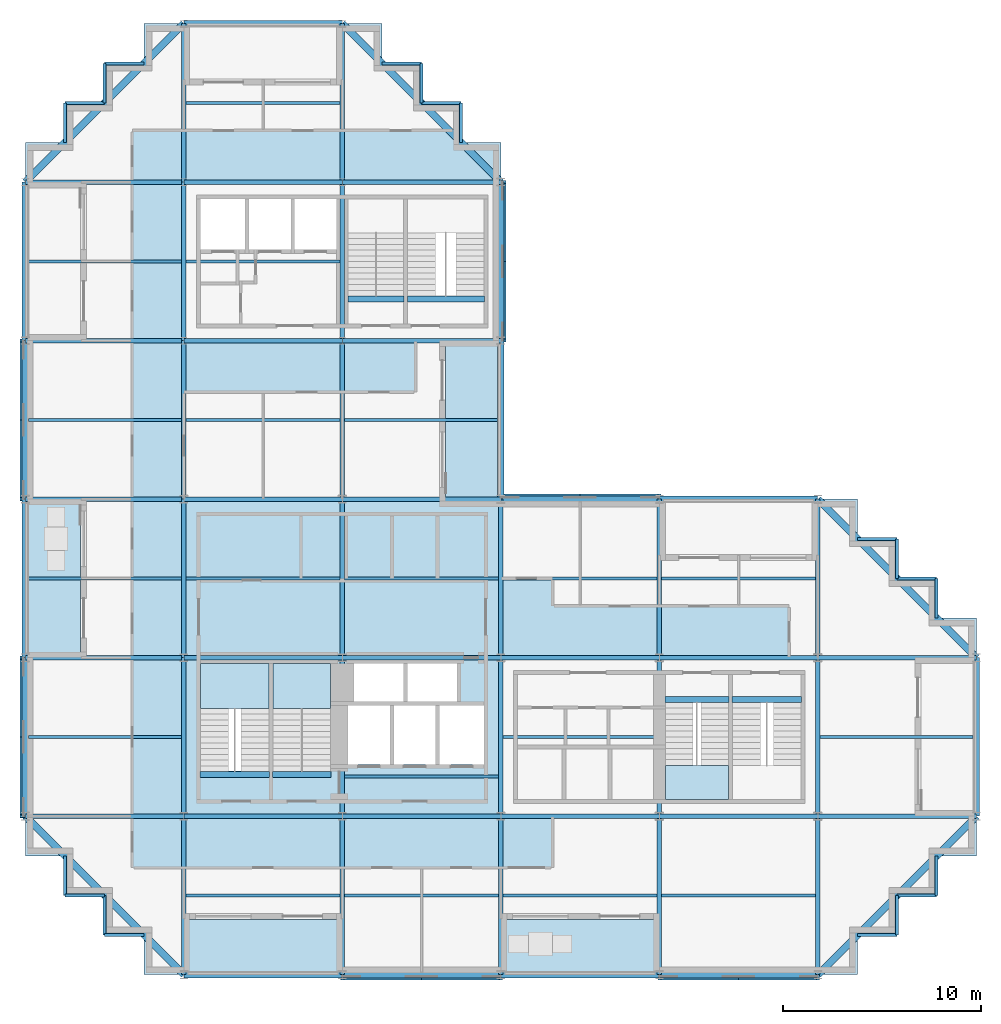
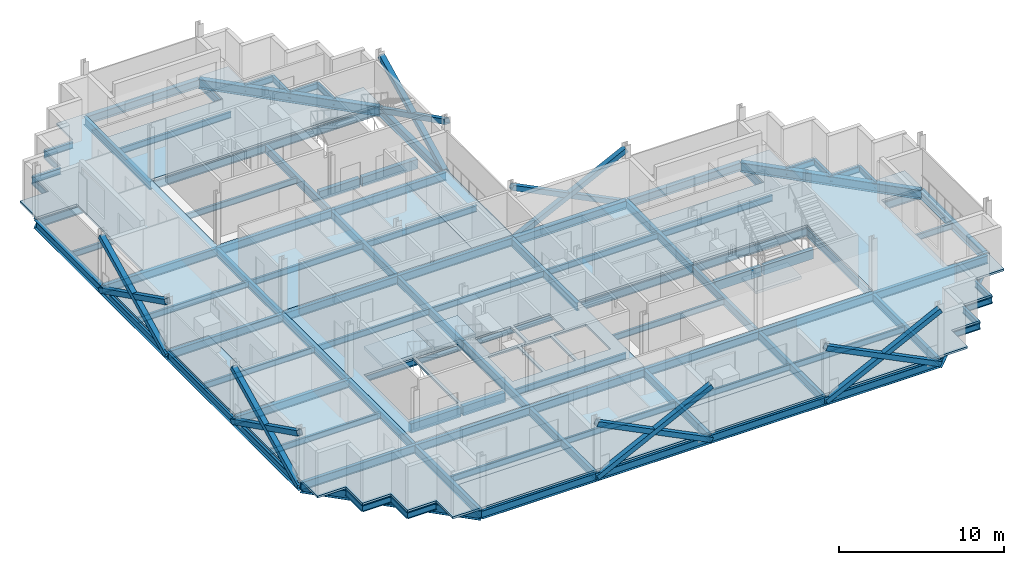
# One storey, part 3 of 12: 106 beams, 12 members, 9 slabs, 3 elements without a shape of their own.
"""IFC4 building model written with IfcOpenShell, lengths in metres."""

from ifc_helpers import new_model, si_unit, direction, frame, origin, origin_2d, place, context, subcontext, project, spatial, polyline, rectangle, hollow_rectangle, i_section, outline, extrude, material, layer, layer_set, material_profile, profile_set, type_object, element, aggregate, save


model = new_model("IFC4")

# Units and contexts
model_context = context("Model", 3, precision=1e-05, world=origin(), true_north=direction((0.0, 1.0)))
body_context = subcontext(model_context, "Body", "Model", "MODEL_VIEW")
ifc_project = project(units=[si_unit("LENGTHUNIT", "METRE"), si_unit("AREAUNIT", "SQUARE_METRE"), si_unit("VOLUMEUNIT", "CUBIC_METRE"), si_unit("PLANEANGLEUNIT", "RADIAN"), si_unit("MASSUNIT", "GRAM", prefix="KILO")], contexts=[model_context])

# Site, building, storey
site_placement = place(None, origin())
site = spatial("IfcSite", under=ifc_project, at=site_placement, CompositionType="ELEMENT")
building_placement = place(site_placement, origin())
building = spatial("IfcBuilding", under=site, at=building_placement, Name="Immortelle Media Tower", CompositionType="ELEMENT")
storey_placement = place(building_placement, frame((0.0, 0.0, 178.800048828125)))
storey = spatial("IfcBuildingStorey", under=building, at=storey_placement, Name="L37", CompositionType="ELEMENT", Elevation=178.800048828125)

# Members
ifc_material_1 = material(Name="Steel ASTM A500 Gr C", Category="steel")
ifc_material_profile_1 = material_profile(ifc_material_1, hollow_rectangle(XDim=0.35595703125, YDim=0.35595703125, WallThickness=0.011962890625, at=origin_2d()), Name="HSS14x14x1/2 brace")
ifc_profile_set_1 = profile_set([ifc_material_profile_1], Name="Steel ASTM A500 Gr C")
member_type = type_object("IfcMemberType", Name="HSS14x14x1/2 brace", PredefinedType="BRACE", material=ifc_profile_set_1)
for number, where, z_axis, x_axis, name in (
    (1, (16.0, -0.087890625, -0.4560546875), (0.89547411235, 0.0, 0.445113596861), (0.0, 1.0, 0.0), "Brace A/3-4 A"),
    (2, (16.0, -0.087890625, 3.5205078125), (0.89547411235, 0.0, -0.445113596861), (0.0, 1.0, 0.0), "Brace A/3-4 B"),
    (3, (32.0, -0.087890625, -0.4560546875), (0.89547411235, 0.0, 0.445113596861), (0.0, 1.0, 0.0), "Brace A/5-6 A"),
    (4, (32.0, -0.087890625, 3.5205078125), (0.89547411235, 0.0, -0.445113596861), (0.0, 1.0, 0.0), "Brace A/5-6 B"),
    (5, (32.0, 24.087890625, -0.4560546875), (-0.89547411235, 0.0, 0.445113596861), (0.0, -1.0, 0.0), "Brace D/4-5 A"),
    (6, (32.0, 24.087890625, 3.5205078125), (-0.89547411235, 0.0, -0.445113596861), (0.0, -1.0, 0.0), "Brace D/4-5 B"),
    (7, (24.087890625, 32.0, -0.4560546875), (0.0, 0.89547411235, 0.445113596861), (-1.0, 0.0, 0.0), "Brace 4/E-F A"),
    (8, (24.087890625, 32.0, 3.5205078125), (0.0, 0.89547411235, -0.445113596861), (-1.0, 0.0, 0.0), "Brace 4/E-F B"),
    (9, (-0.087890625, 32.0, -0.4560546875), (0.0, -0.89547411235, 0.445113596861), (1.0, 0.0, 0.0), "Brace 1/D-E A"),
    (10, (-0.087890625, 32.0, 3.5205078125), (0.0, -0.89547411235, -0.445113596861), (1.0, 0.0, 0.0), "Brace 1/D-E B"),
    (11, (-0.087890625, 16.0, -0.4560546875), (0.0, -0.89547411235, 0.445113596861), (1.0, 0.0, 0.0), "Brace 1/B-C A"),
    (12, (-0.087890625, 16.0, 3.5205078125), (0.0, -0.89547411235, -0.445113596861), (1.0, 0.0, 0.0), "Brace 1/B-C B"),
):
    element("IfcMember", number, at=place(storey_placement, frame(where, z_axis=z_axis, x_axis=x_axis)), inside=storey, type_object=member_type, Name=name, PredefinedType="BRACE", context=body_context, shape_type="SweptSolid", body=[
        extrude(hollow_rectangle(XDim=0.35595703125, YDim=0.35595703125, WallThickness=0.011962890625, at=origin_2d()), origin(), (0.0, 0.0, 1.0), 8.933837890625),
    ])

# Beams
ifc_material_2 = material(Name="Concrete C50/60", Category="concrete")
ifc_material_profile_2 = material_profile(ifc_material_2, rectangle(XDim=0.300048828125, YDim=0.699951171875, at=origin_2d()), Name="RC 300x700")
ifc_profile_set_2 = profile_set([ifc_material_profile_2], Name="Concrete C50/60")
beam_type_1 = type_object("IfcBeamType", Name="Stair trimmer beam 300 x 700", PredefinedType="BEAM", material=ifc_profile_set_2)
beam_1_placement = place(storey_placement, frame((8.830078125, 10.10498046875, -0.5), z_axis=(1.0, 0.0, 0.0), x_axis=(0.0, 1.0, 0.0)))
element("IfcBeam", 13, at=beam_1_placement, inside=storey, type_object=beam_type_1, Name="Stair trimmer beam SW1", PredefinedType="BEAM", context=body_context, shape_type="SweptSolid", body=[
    extrude(rectangle(XDim=0.300048828125, YDim=0.699951171875, at=origin_2d()), origin(), (0.0, 0.0, 1.0), 3.489990234375),
])
beam_2_placement = place(storey_placement, frame((12.47998046875, 10.10498046875, -0.5), z_axis=(1.0, 0.0, 0.0), x_axis=(0.0, 1.0, 0.0)))
element("IfcBeam", 14, at=beam_2_placement, inside=storey, type_object=beam_type_1, Name="Stair trimmer beam SW2", PredefinedType="BEAM", context=body_context, shape_type="SweptSolid", body=[
    extrude(rectangle(XDim=0.300048828125, YDim=0.699951171875, at=origin_2d()), origin(), (0.0, 0.0, 1.0), 2.93994140625),
])
beam_3_placement = place(storey_placement, frame((32.280029296875, 13.89501953125, -0.5), z_axis=(1.0, 0.0, 0.0), x_axis=(0.0, 1.0, 0.0)))
element("IfcBeam", 15, at=beam_3_placement, inside=storey, type_object=beam_type_1, Name="Stair trimmer beam SE1", PredefinedType="BEAM", context=body_context, shape_type="SweptSolid", body=[
    extrude(rectangle(XDim=0.300048828125, YDim=0.699951171875, at=origin_2d()), origin(), (0.0, 0.0, 1.0), 3.239990234375),
])
beam_4_placement = place(storey_placement, frame((35.679931640625, 13.89501953125, -0.5), z_axis=(1.0, 0.0, 0.0), x_axis=(0.0, 1.0, 0.0)))
element("IfcBeam", 16, at=beam_4_placement, inside=storey, type_object=beam_type_1, Name="Stair trimmer beam SE2", PredefinedType="BEAM", context=body_context, shape_type="SweptSolid", body=[
    extrude(rectangle(XDim=0.300048828125, YDim=0.699951171875, at=origin_2d()), origin(), (0.0, 0.0, 1.0), 3.489990234375),
])
beam_5_placement = place(storey_placement, frame((16.280029296875, 34.10498046875, -0.5), z_axis=(1.0, 0.0, 0.0), x_axis=(0.0, 1.0, 0.0)))
element("IfcBeam", 17, at=beam_5_placement, inside=storey, type_object=beam_type_1, Name="Stair trimmer beam NW1", PredefinedType="BEAM", context=body_context, shape_type="SweptSolid", body=[
    extrude(rectangle(XDim=0.300048828125, YDim=0.699951171875, at=origin_2d()), origin(), (0.0, 0.0, 1.0), 2.840087890625),
])
beam_6_placement = place(storey_placement, frame((19.280029296875, 34.10498046875, -0.5), z_axis=(1.0, 0.0, 0.0), x_axis=(0.0, 1.0, 0.0)))
element("IfcBeam", 18, at=beam_6_placement, inside=storey, type_object=beam_type_1, Name="Stair trimmer beam NW2", PredefinedType="BEAM", context=body_context, shape_type="SweptSolid", body=[
    extrude(rectangle(XDim=0.300048828125, YDim=0.699951171875, at=origin_2d()), origin(), (0.0, 0.0, 1.0), 3.889892578125),
])
ifc_material_3 = material(Name="Steel ASTM A992 Gr 50", Category="steel")
ifc_material_profile_3 = material_profile(ifc_material_3, i_section(OverallWidth=0.153076171875, OverallDepth=0.455078125, WebThickness=0.008056640625, FlangeThickness=0.012939453125, at=origin_2d()), Name="W18x40")
ifc_profile_set_3 = profile_set([ifc_material_profile_3], Name="Steel ASTM A992 Gr 50")
beam_type_2 = type_object("IfcBeamType", Name="W18x40 secondary beam", PredefinedType="JOIST", material=ifc_profile_set_3)
for number, where, z_axis, x_axis, name in (
    (19, (8.114013671875, 4.0, -0.37744140625), (1.0, 0.0, 0.0), (0.0, 1.0, 0.0), "Beam A-B/2-3"),
    (20, (16.114013671875, 4.0, -0.37744140625), (1.0, 0.0, 0.0), (0.0, 1.0, 0.0), "Beam A-B/3-4"),
    (21, (24.114013671875, 4.0, -0.37744140625), (1.0, 0.0, 0.0), (0.0, 1.0, 0.0), "Beam A-B/4-5"),
    (22, (32.114013671875, 4.0, -0.37744140625), (1.0, 0.0, 0.0), (0.0, 1.0, 0.0), "Beam A-B/5-6"),
):
    element("IfcBeam", number, at=place(storey_placement, frame(where, z_axis=z_axis, x_axis=x_axis)), inside=storey, type_object=beam_type_2, Name=name, PredefinedType="JOIST", context=body_context, shape_type="SweptSolid", body=[
        extrude(i_section(OverallWidth=0.153076171875, OverallDepth=0.455078125, WebThickness=0.008056640625, FlangeThickness=0.012939453125, at=origin_2d()), origin(), (0.0, 0.0, 1.0), 7.77197265625),
    ])
beam_7_placement = place(storey_placement, frame((0.162109375, 12.0, -0.37744140625), z_axis=(1.0, 0.0, 0.0), x_axis=(0.0, 1.0, 0.0)))
element("IfcBeam", 23, at=beam_7_placement, inside=storey, type_object=beam_type_2, Name="Beam B-C/1-2", PredefinedType="JOIST", context=body_context, shape_type="SweptSolid", body=[
    extrude(i_section(OverallWidth=0.153076171875, OverallDepth=0.455078125, WebThickness=0.008056640625, FlangeThickness=0.012939453125, at=origin_2d()), origin(), (0.0, 0.0, 1.0), 7.723876953125),
])
for number, where, z_axis, x_axis, name in (
    (24, (16.114013671875, 10.0, -0.37744140625), (1.0, 0.0, 0.0), (0.0, 1.0, 0.0), "Beam B-C/3-4"),
    (25, (24.114013671875, 12.0, -0.37744140625), (1.0, 0.0, 0.0), (0.0, 1.0, 0.0), "Beam B-C/4-5"),
):
    element("IfcBeam", number, at=place(storey_placement, frame(where, z_axis=z_axis, x_axis=x_axis)), inside=storey, type_object=beam_type_2, Name=name, PredefinedType="JOIST", context=body_context, shape_type="SweptSolid", body=[
        extrude(i_section(OverallWidth=0.153076171875, OverallDepth=0.455078125, WebThickness=0.008056640625, FlangeThickness=0.012939453125, at=origin_2d()), origin(), (0.0, 0.0, 1.0), 7.77197265625),
    ])
for number, where, z_axis, x_axis, name in (
    (26, (40.114013671875, 12.0, -0.37744140625), (1.0, 0.0, 0.0), (0.0, 1.0, 0.0), "Beam B-C/6-7"),
    (27, (0.162109375, 20.0, -0.37744140625), (1.0, 0.0, 0.0), (0.0, 1.0, 0.0), "Beam C-D/1-2"),
):
    element("IfcBeam", number, at=place(storey_placement, frame(where, z_axis=z_axis, x_axis=x_axis)), inside=storey, type_object=beam_type_2, Name=name, PredefinedType="JOIST", context=body_context, shape_type="SweptSolid", body=[
        extrude(i_section(OverallWidth=0.153076171875, OverallDepth=0.455078125, WebThickness=0.008056640625, FlangeThickness=0.012939453125, at=origin_2d()), origin(), (0.0, 0.0, 1.0), 7.723876953125),
    ])
for number, where, z_axis, x_axis, name in (
    (28, (8.114013671875, 20.0, -0.37744140625), (1.0, 0.0, 0.0), (0.0, 1.0, 0.0), "Beam C-D/2-3"),
    (29, (16.114013671875, 20.0, -0.37744140625), (1.0, 0.0, 0.0), (0.0, 1.0, 0.0), "Beam C-D/3-4"),
    (30, (24.114013671875, 20.0, -0.37744140625), (1.0, 0.0, 0.0), (0.0, 1.0, 0.0), "Beam C-D/4-5"),
    (31, (32.114013671875, 20.0, -0.37744140625), (1.0, 0.0, 0.0), (0.0, 1.0, 0.0), "Beam C-D/5-6"),
):
    element("IfcBeam", number, at=place(storey_placement, frame(where, z_axis=z_axis, x_axis=x_axis)), inside=storey, type_object=beam_type_2, Name=name, PredefinedType="JOIST", context=body_context, shape_type="SweptSolid", body=[
        extrude(i_section(OverallWidth=0.153076171875, OverallDepth=0.455078125, WebThickness=0.008056640625, FlangeThickness=0.012939453125, at=origin_2d()), origin(), (0.0, 0.0, 1.0), 7.77197265625),
    ])
beam_8_placement = place(storey_placement, frame((0.162109375, 28.0, -0.37744140625), z_axis=(1.0, 0.0, 0.0), x_axis=(0.0, 1.0, 0.0)))
element("IfcBeam", 32, at=beam_8_placement, inside=storey, type_object=beam_type_2, Name="Beam D-E/1-2", PredefinedType="JOIST", context=body_context, shape_type="SweptSolid", body=[
    extrude(i_section(OverallWidth=0.153076171875, OverallDepth=0.455078125, WebThickness=0.008056640625, FlangeThickness=0.012939453125, at=origin_2d()), origin(), (0.0, 0.0, 1.0), 7.723876953125),
])
beam_9_placement = place(storey_placement, frame((8.114013671875, 28.0, -0.37744140625), z_axis=(1.0, 0.0, 0.0), x_axis=(0.0, 1.0, 0.0)))
element("IfcBeam", 33, at=beam_9_placement, inside=storey, type_object=beam_type_2, Name="Beam D-E/2-3", PredefinedType="JOIST", context=body_context, shape_type="SweptSolid", body=[
    extrude(i_section(OverallWidth=0.153076171875, OverallDepth=0.455078125, WebThickness=0.008056640625, FlangeThickness=0.012939453125, at=origin_2d()), origin(), (0.0, 0.0, 1.0), 7.77197265625),
])
for number, where, z_axis, x_axis, name in (
    (34, (16.114013671875, 28.0, -0.37744140625), (1.0, 0.0, 0.0), (0.0, 1.0, 0.0), "Beam D-E/3-4"),
    (35, (0.162109375, 36.0, -0.37744140625), (1.0, 0.0, 0.0), (0.0, 1.0, 0.0), "Beam E-F/1-2"),
):
    element("IfcBeam", number, at=place(storey_placement, frame(where, z_axis=z_axis, x_axis=x_axis)), inside=storey, type_object=beam_type_2, Name=name, PredefinedType="JOIST", context=body_context, shape_type="SweptSolid", body=[
        extrude(i_section(OverallWidth=0.153076171875, OverallDepth=0.455078125, WebThickness=0.008056640625, FlangeThickness=0.012939453125, at=origin_2d()), origin(), (0.0, 0.0, 1.0), 7.723876953125),
    ])
for number, where, z_axis, x_axis, name in (
    (36, (8.114013671875, 36.0, -0.37744140625), (1.0, 0.0, 0.0), (0.0, 1.0, 0.0), "Beam E-F/2-3"),
    (37, (8.114013671875, 44.0, -0.37744140625), (1.0, 0.0, 0.0), (0.0, 1.0, 0.0), "Beam F-G/2-3"),
):
    element("IfcBeam", number, at=place(storey_placement, frame(where, z_axis=z_axis, x_axis=x_axis)), inside=storey, type_object=beam_type_2, Name=name, PredefinedType="JOIST", context=body_context, shape_type="SweptSolid", body=[
        extrude(i_section(OverallWidth=0.153076171875, OverallDepth=0.455078125, WebThickness=0.008056640625, FlangeThickness=0.012939453125, at=origin_2d()), origin(), (0.0, 0.0, 1.0), 7.77197265625),
    ])
ifc_material_profile_4 = material_profile(ifc_material_3, i_section(OverallWidth=0.153076171875, OverallDepth=0.455078125, WebThickness=0.008056640625, FlangeThickness=0.012939453125, at=origin_2d()), Name="W18x40")
ifc_profile_set_4 = profile_set([ifc_material_profile_4], Name="Steel ASTM A992 Gr 50")
beam_type_3 = type_object("IfcBeamType", Name="W18x40 serration edge beam", PredefinedType="SPANDREL", material=ifc_profile_set_4)
for number, where, z_axis, x_axis, name in (
    (38, (6.0, 2.0, -0.37744140625), (-1.0, 0.0, 0.0), (0.0, -1.0, 0.0), "Corner edge beam 1 at 1/A"),
    (39, (4.0, 2.0, -0.37744140625), (0.0, 1.0, 0.0), (-1.0, 0.0, 0.0), "Corner edge beam 2 at 1/A"),
    (40, (4.0, 4.0, -0.37744140625), (-1.0, 0.0, 0.0), (0.0, -1.0, 0.0), "Corner edge beam 3 at 1/A"),
    (41, (2.0, 4.0, -0.37744140625), (0.0, 1.0, 0.0), (-1.0, 0.0, 0.0), "Corner edge beam 4 at 1/A"),
    (42, (2.0, 42.0, -0.37744140625), (0.0, 1.0, 0.0), (-1.0, 0.0, 0.0), "Corner edge beam 1 at 1/G"),
    (43, (2.0, 44.0, -0.37744140625), (1.0, 0.0, 0.0), (0.0, 1.0, 0.0), "Corner edge beam 2 at 1/G"),
    (44, (4.0, 44.0, -0.37744140625), (0.0, 1.0, 0.0), (-1.0, 0.0, 0.0), "Corner edge beam 3 at 1/G"),
    (45, (4.0, 46.0, -0.37744140625), (1.0, 0.0, 0.0), (0.0, 1.0, 0.0), "Corner edge beam 4 at 1/G"),
    (46, (18.0, 46.0, -0.37744140625), (1.0, 0.0, 0.0), (0.0, 1.0, 0.0), "Corner edge beam 1 at 4/G"),
    (47, (20.0, 46.0, -0.37744140625), (0.0, -1.0, 0.0), (1.0, 0.0, 0.0), "Corner edge beam 2 at 4/G"),
    (48, (20.0, 44.0, -0.37744140625), (1.0, 0.0, 0.0), (0.0, 1.0, 0.0), "Corner edge beam 3 at 4/G"),
    (49, (22.0, 44.0, -0.37744140625), (0.0, -1.0, 0.0), (1.0, 0.0, 0.0), "Corner edge beam 4 at 4/G"),
    (50, (46.0, 6.0, -0.37744140625), (0.0, -1.0, 0.0), (1.0, 0.0, 0.0), "Corner edge beam 1 at 7/A"),
    (51, (46.0, 4.0, -0.37744140625), (-1.0, 0.0, 0.0), (0.0, -1.0, 0.0), "Corner edge beam 2 at 7/A"),
    (52, (44.0, 4.0, -0.37744140625), (0.0, -1.0, 0.0), (1.0, 0.0, 0.0), "Corner edge beam 3 at 7/A"),
    (53, (44.0, 2.0, -0.37744140625), (-1.0, 0.0, 0.0), (0.0, -1.0, 0.0), "Corner edge beam 4 at 7/A"),
    (54, (42.0, 22.0, -0.37744140625), (1.0, 0.0, 0.0), (0.0, 1.0, 0.0), "Corner edge beam 1 at 7/D"),
    (55, (44.0, 22.0, -0.37744140625), (0.0, -1.0, 0.0), (1.0, 0.0, 0.0), "Corner edge beam 2 at 7/D"),
    (56, (44.0, 20.0, -0.37744140625), (1.0, 0.0, 0.0), (0.0, 1.0, 0.0), "Corner edge beam 3 at 7/D"),
    (57, (46.0, 20.0, -0.37744140625), (0.0, -1.0, 0.0), (1.0, 0.0, 0.0), "Corner edge beam 4 at 7/D"),
):
    element("IfcBeam", number, at=place(storey_placement, frame(where, z_axis=z_axis, x_axis=x_axis)), inside=storey, type_object=beam_type_3, Name=name, PredefinedType="SPANDREL", context=body_context, shape_type="SweptSolid", body=[
        extrude(i_section(OverallWidth=0.153076171875, OverallDepth=0.455078125, WebThickness=0.008056640625, FlangeThickness=0.012939453125, at=origin_2d()), origin(), (0.0, 0.0, 1.0), 2.0),
    ])
ifc_material_profile_5 = material_profile(ifc_material_3, i_section(OverallWidth=0.323974609375, OverallDepth=0.612060546875, WebThickness=0.012939453125, FlangeThickness=0.01904296875, at=origin_2d()), Name="W24x104")
ifc_profile_set_5 = profile_set([ifc_material_profile_5], Name="Steel ASTM A992 Gr 50")
beam_type_4 = type_object("IfcBeamType", Name="W24x104 perimeter girder", PredefinedType="SPANDREL", material=ifc_profile_set_5)
for number, where, z_axis, x_axis, name in (
    (58, (0.0, 8.0, -0.4560546875), (0.0, 1.0, 0.0), (-1.0, 0.0, 0.0), "Girder 1/B-C"),
    (59, (0.0, 16.0, -0.4560546875), (0.0, 1.0, 0.0), (-1.0, 0.0, 0.0), "Girder 1/C-D"),
    (60, (0.0, 24.0, -0.4560546875), (0.0, 1.0, 0.0), (-1.0, 0.0, 0.0), "Girder 1/D-E"),
    (61, (0.0, 32.0, -0.4560546875), (0.0, 1.0, 0.0), (-1.0, 0.0, 0.0), "Girder 1/E-F"),
    (62, (8.0, 0.0, -0.4560546875), (1.0, 0.0, 0.0), (0.0, 1.0, 0.0), "Girder A/2-3"),
    (63, (8.0, 48.0, -0.4560546875), (1.0, 0.0, 0.0), (0.0, 1.0, 0.0), "Girder G/2-3"),
    (64, (16.0, 0.0, -0.4560546875), (1.0, 0.0, 0.0), (0.0, 1.0, 0.0), "Girder A/3-4"),
    (65, (24.0, 0.0, -0.4560546875), (1.0, 0.0, 0.0), (0.0, 1.0, 0.0), "Girder A/4-5"),
    (66, (24.0, 24.0, -0.4560546875), (1.0, 0.0, 0.0), (0.0, 1.0, 0.0), "Girder D/4-5"),
    (67, (24.0, 24.0, -0.4560546875), (0.0, 1.0, 0.0), (-1.0, 0.0, 0.0), "Girder 4/D-E"),
    (68, (24.0, 32.0, -0.4560546875), (0.0, 1.0, 0.0), (-1.0, 0.0, 0.0), "Girder 4/E-F"),
    (69, (32.0, 0.0, -0.4560546875), (1.0, 0.0, 0.0), (0.0, 1.0, 0.0), "Girder A/5-6"),
    (70, (32.0, 24.0, -0.4560546875), (1.0, 0.0, 0.0), (0.0, 1.0, 0.0), "Girder D/5-6"),
    (71, (48.0, 8.0, -0.4560546875), (0.0, 1.0, 0.0), (-1.0, 0.0, 0.0), "Girder 7/B-C"),
):
    element("IfcBeam", number, at=place(storey_placement, frame(where, z_axis=z_axis, x_axis=x_axis)), inside=storey, type_object=beam_type_4, Name=name, PredefinedType="SPANDREL", context=body_context, shape_type="SweptSolid", body=[
        extrude(i_section(OverallWidth=0.323974609375, OverallDepth=0.612060546875, WebThickness=0.012939453125, FlangeThickness=0.01904296875, at=origin_2d()), origin(), (0.0, 0.0, 1.0), 8.0),
    ])
ifc_material_profile_6 = material_profile(ifc_material_3, i_section(OverallWidth=0.22802734375, OverallDepth=0.60205078125, WebThickness=0.010986328125, FlangeThickness=0.014892578125, at=origin_2d()), Name="W24x68")
ifc_profile_set_6 = profile_set([ifc_material_profile_6], Name="Steel ASTM A992 Gr 50")
beam_type_5 = type_object("IfcBeamType", Name="W24x68 girder", PredefinedType="BEAM", material=ifc_profile_set_6)
for number, where, z_axis, x_axis, name in (
    (72, (0.0, 8.0, -0.450927734375), (1.0, 0.0, 0.0), (0.0, 1.0, 0.0), "Girder B/1-2"),
    (73, (0.0, 16.0, -0.450927734375), (1.0, 0.0, 0.0), (0.0, 1.0, 0.0), "Girder C/1-2"),
    (74, (0.0, 24.0, -0.450927734375), (1.0, 0.0, 0.0), (0.0, 1.0, 0.0), "Girder D/1-2"),
    (75, (0.0, 32.0, -0.450927734375), (1.0, 0.0, 0.0), (0.0, 1.0, 0.0), "Girder E/1-2"),
    (76, (0.0, 40.0, -0.450927734375), (1.0, 0.0, 0.0), (0.0, 1.0, 0.0), "Girder F/1-2"),
    (77, (8.0, 0.0, -0.450927734375), (0.0, 1.0, 0.0), (-1.0, 0.0, 0.0), "Girder 2/A-B"),
    (78, (8.0, 8.0, -0.450927734375), (1.0, 0.0, 0.0), (0.0, 1.0, 0.0), "Girder B/2-3"),
    (79, (8.0, 8.0, -0.450927734375), (0.0, 1.0, 0.0), (-1.0, 0.0, 0.0), "Girder 2/B-C"),
    (80, (8.0, 16.0, -0.450927734375), (1.0, 0.0, 0.0), (0.0, 1.0, 0.0), "Girder C/2-3"),
    (81, (8.0, 16.0, -0.450927734375), (0.0, 1.0, 0.0), (-1.0, 0.0, 0.0), "Girder 2/C-D"),
    (82, (8.0, 24.0, -0.450927734375), (1.0, 0.0, 0.0), (0.0, 1.0, 0.0), "Girder D/2-3"),
    (83, (8.0, 24.0, -0.450927734375), (0.0, 1.0, 0.0), (-1.0, 0.0, 0.0), "Girder 2/D-E"),
    (84, (8.0, 32.0, -0.450927734375), (1.0, 0.0, 0.0), (0.0, 1.0, 0.0), "Girder E/2-3"),
    (85, (8.0, 32.0, -0.450927734375), (0.0, 1.0, 0.0), (-1.0, 0.0, 0.0), "Girder 2/E-F"),
    (86, (8.0, 40.0, -0.450927734375), (1.0, 0.0, 0.0), (0.0, 1.0, 0.0), "Girder F/2-3"),
    (87, (8.0, 40.0, -0.450927734375), (0.0, 1.0, 0.0), (-1.0, 0.0, 0.0), "Girder 2/F-G"),
    (88, (16.0, 0.0, -0.450927734375), (0.0, 1.0, 0.0), (-1.0, 0.0, 0.0), "Girder 3/A-B"),
    (89, (16.0, 8.0, -0.450927734375), (1.0, 0.0, 0.0), (0.0, 1.0, 0.0), "Girder B/3-4"),
    (90, (16.0, 8.0, -0.450927734375), (0.0, 1.0, 0.0), (-1.0, 0.0, 0.0), "Girder 3/B-C"),
    (91, (16.0, 16.0, -0.450927734375), (1.0, 0.0, 0.0), (0.0, 1.0, 0.0), "Girder C/3-4"),
    (92, (16.0, 16.0, -0.450927734375), (0.0, 1.0, 0.0), (-1.0, 0.0, 0.0), "Girder 3/C-D"),
    (93, (16.0, 24.0, -0.450927734375), (1.0, 0.0, 0.0), (0.0, 1.0, 0.0), "Girder D/3-4"),
    (94, (16.0, 24.0, -0.450927734375), (0.0, 1.0, 0.0), (-1.0, 0.0, 0.0), "Girder 3/D-E"),
    (95, (16.0, 32.0, -0.450927734375), (1.0, 0.0, 0.0), (0.0, 1.0, 0.0), "Girder E/3-4"),
    (96, (16.0, 32.0, -0.450927734375), (0.0, 1.0, 0.0), (-1.0, 0.0, 0.0), "Girder 3/E-F"),
    (97, (16.0, 40.0, -0.450927734375), (1.0, 0.0, 0.0), (0.0, 1.0, 0.0), "Girder F/3-4"),
    (98, (16.0, 40.0, -0.450927734375), (0.0, 1.0, 0.0), (-1.0, 0.0, 0.0), "Girder 3/F-G"),
    (99, (24.0, 0.0, -0.450927734375), (0.0, 1.0, 0.0), (-1.0, 0.0, 0.0), "Girder 4/A-B"),
    (100, (24.0, 8.0, -0.450927734375), (1.0, 0.0, 0.0), (0.0, 1.0, 0.0), "Girder B/4-5"),
    (101, (24.0, 8.0, -0.450927734375), (0.0, 1.0, 0.0), (-1.0, 0.0, 0.0), "Girder 4/B-C"),
    (102, (24.0, 16.0, -0.450927734375), (1.0, 0.0, 0.0), (0.0, 1.0, 0.0), "Girder C/4-5"),
    (103, (24.0, 16.0, -0.450927734375), (0.0, 1.0, 0.0), (-1.0, 0.0, 0.0), "Girder 4/C-D"),
    (104, (32.0, 0.0, -0.450927734375), (0.0, 1.0, 0.0), (-1.0, 0.0, 0.0), "Girder 5/A-B"),
    (105, (32.0, 8.0, -0.450927734375), (1.0, 0.0, 0.0), (0.0, 1.0, 0.0), "Girder B/5-6"),
    (106, (32.0, 8.0, -0.450927734375), (0.0, 1.0, 0.0), (-1.0, 0.0, 0.0), "Girder 5/B-C"),
    (107, (32.0, 16.0, -0.450927734375), (1.0, 0.0, 0.0), (0.0, 1.0, 0.0), "Girder C/5-6"),
    (108, (32.0, 16.0, -0.450927734375), (0.0, 1.0, 0.0), (-1.0, 0.0, 0.0), "Girder 5/C-D"),
    (109, (40.0, 0.0, -0.450927734375), (0.0, 1.0, 0.0), (-1.0, 0.0, 0.0), "Girder 6/A-B"),
    (110, (40.0, 8.0, -0.450927734375), (1.0, 0.0, 0.0), (0.0, 1.0, 0.0), "Girder B/6-7"),
    (111, (40.0, 8.0, -0.450927734375), (0.0, 1.0, 0.0), (-1.0, 0.0, 0.0), "Girder 6/B-C"),
    (112, (40.0, 16.0, -0.450927734375), (1.0, 0.0, 0.0), (0.0, 1.0, 0.0), "Girder C/6-7"),
    (113, (40.0, 16.0, -0.450927734375), (0.0, 1.0, 0.0), (-1.0, 0.0, 0.0), "Girder 6/C-D"),
):
    element("IfcBeam", number, at=place(storey_placement, frame(where, z_axis=z_axis, x_axis=x_axis)), inside=storey, type_object=beam_type_5, Name=name, PredefinedType="BEAM", context=body_context, shape_type="SweptSolid", body=[
        extrude(i_section(OverallWidth=0.22802734375, OverallDepth=0.60205078125, WebThickness=0.010986328125, FlangeThickness=0.014892578125, at=origin_2d()), origin(), (0.0, 0.0, 1.0), 8.0),
    ])
ifc_material_profile_7 = material_profile(ifc_material_3, i_section(OverallWidth=0.35595703125, OverallDepth=0.696044921875, WebThickness=0.014892578125, FlangeThickness=0.02490234375, at=origin_2d()), Name="W27x146")
ifc_profile_set_7 = profile_set([ifc_material_profile_7], Name="Steel ASTM A992 Gr 50")
beam_type_6 = type_object("IfcBeamType", Name="W27x146 corner girder", PredefinedType="SPANDREL", material=ifc_profile_set_7)
for number, where, z_axis, x_axis, name in (
    (114, (8.0, 0.0, -0.498046875), (-0.707106781187, 0.707106781187, 0.0), (-0.707106781187, -0.707106781187, 0.0), "Corner girder at 1/A"),
    (115, (0.0, 40.0, -0.498046875), (0.707106781187, 0.707106781187, 0.0), (-0.707106781187, 0.707106781187, 0.0), "Corner girder at 1/G"),
    (116, (16.0, 48.0, -0.498046875), (0.707106781187, -0.707106781187, 0.0), (0.707106781187, 0.707106781187, 0.0), "Corner girder at 4/G"),
    (117, (48.0, 8.0, -0.498046875), (-0.707106781187, -0.707106781187, 0.0), (0.707106781187, -0.707106781187, 0.0), "Corner girder at 7/A"),
    (118, (40.0, 24.0, -0.498046875), (0.707106781187, -0.707106781187, 0.0), (0.707106781187, 0.707106781187, 0.0), "Corner girder at 7/D"),
):
    element("IfcBeam", number, at=place(storey_placement, frame(where, z_axis=z_axis, x_axis=x_axis)), inside=storey, type_object=beam_type_6, Name=name, PredefinedType="SPANDREL", context=body_context, shape_type="SweptSolid", body=[
        extrude(i_section(OverallWidth=0.35595703125, OverallDepth=0.696044921875, WebThickness=0.014892578125, FlangeThickness=0.02490234375, at=origin_2d()), origin(), (0.0, 0.0, 1.0), 11.313720703125),
    ])

# Slabs
ifc_material_4 = material(Name="Concrete C50/60 composite deck", Category="concrete")
ifc_layer_1 = layer(ifc_material_4, 0.14990234375)
ifc_layer_set_1 = layer_set([ifc_layer_1], Name="Concrete C50/60 composite deck")
slab_type_1 = type_object("IfcSlabType", Name="Balcony slab 150", PredefinedType="FLOOR", material=ifc_layer_set_1)
slab_1_placement = place(storey_placement, frame((0.0, 0.0, -0.150146484375)))
element("IfcSlab", 119, at=slab_1_placement, inside=storey, type_object=slab_type_1, Name="Balcony slab L37 S0", PredefinedType="FLOOR", context=body_context, shape_type="SweptSolid", body=[
    extrude(outline(polyline([(16.0, 0.0), (16.0, 2.800048828125), (8.0, 2.800048828125), (8.0, 0.0), (16.0, 0.0)])), origin(), (0.0, 0.0, 1.0), 0.150146484375),
])
slab_2_placement = place(storey_placement, frame((0.0, 0.0, -0.150146484375)))
element("IfcSlab", 120, at=slab_2_placement, inside=storey, type_object=slab_type_1, Name="Balcony slab L37 S2", PredefinedType="FLOOR", context=body_context, shape_type="SweptSolid", body=[
    extrude(outline(polyline([(32.0, 0.0), (32.0, 2.800048828125), (24.0, 2.800048828125), (24.0, 0.0), (32.0, 0.0)])), origin(), (0.0, 0.0, 1.0), 0.150146484375),
])
slab_3_placement = place(storey_placement, frame((0.0, 0.0, -0.150146484375)))
element("IfcSlab", 121, at=slab_3_placement, inside=storey, type_object=slab_type_1, Name="Balcony slab L37 E0", PredefinedType="FLOOR", context=body_context, shape_type="SweptSolid", body=[
    extrude(outline(polyline([(24.0, 24.0), (24.0, 32.0), (21.199951171875, 32.0), (21.199951171875, 24.0), (24.0, 24.0)])), origin(), (0.0, 0.0, 1.0), 0.150146484375),
])
slab_4_placement = place(storey_placement, frame((0.0, 0.0, -0.150146484375)))
element("IfcSlab", 122, at=slab_4_placement, inside=storey, type_object=slab_type_1, Name="Balcony slab L37 W2", PredefinedType="FLOOR", context=body_context, shape_type="SweptSolid", body=[
    extrude(outline(polyline([(2.800048828125, 16.0), (2.800048828125, 24.0), (0.0, 24.0), (0.0, 16.0), (2.800048828125, 16.0)])), origin(), (0.0, 0.0, 1.0), 0.150146484375),
])
ifc_layer_2 = layer(ifc_material_2, 0.14990234375)
ifc_layer_set_2 = layer_set([ifc_layer_2], Name="Concrete C50/60")
slab_type_2 = type_object("IfcSlabType", Name="Composite floor slab 150", PredefinedType="FLOOR", material=ifc_layer_set_2)
slab_5_placement = place(storey_placement, frame((0.0, 0.0, -0.150146484375)))
element("IfcSlab", 123, at=slab_5_placement, inside=storey, type_object=slab_type_2, Name="Floor slab L37", PredefinedType="FLOOR", context=body_context, shape_type="SweptSolid", body=[
    extrude(outline(polyline([(6.0, 0.0), (6.0, 2.0), (4.0, 2.0), (4.0, 4.0), (2.0, 4.0), (2.0, 6.0), (0.0, 6.0), (0.0, 16.0), (2.800048828125, 16.0), (2.800048828125, 24.0), (0.0, 24.0), (0.0, 32.0), (2.800048828125, 32.0), (2.800048828125, 40.0), (0.0, 40.0), (0.0, 42.0), (2.0, 42.0), (2.0, 44.0), (4.0, 44.0), (4.0, 46.0), (6.0, 46.0), (6.0, 48.0), (8.0, 48.0), (8.0, 45.199951171875), (16.0, 45.199951171875), (16.0, 48.0), (18.0, 48.0), (18.0, 46.0), (20.0, 46.0), (20.0, 44.0), (22.0, 44.0), (22.0, 42.0), (24.0, 42.0), (24.0, 40.0), (8.0, 40.0), (8.0, 32.0), (21.199951171875, 32.0), (21.199951171875, 24.0), (8.0, 24.0), (8.0, 8.0), (24.0, 8.0), (40.0, 8.0), (40.0, 16.0), (24.0, 16.0), (24.0, 24.0), (32.0, 24.0), (32.0, 21.199951171875), (40.0, 21.199951171875), (40.0, 24.0), (42.0, 24.0), (42.0, 22.0), (44.0, 22.0), (44.0, 20.0), (46.0, 20.0), (46.0, 18.0), (48.0, 18.0), (48.0, 16.0), (45.199951171875, 16.0), (45.199951171875, 8.0), (48.0, 8.0), (48.0, 6.0), (46.0, 6.0), (46.0, 4.0), (44.0, 4.0), (44.0, 2.0), (42.0, 2.0), (42.0, 0.0), (32.0, 0.0), (32.0, 2.800048828125), (24.0, 2.800048828125), (24.0, 0.0), (16.0, 0.0), (16.0, 2.800048828125), (8.0, 2.800048828125), (8.0, 0.0), (6.0, 0.0)])), origin(), (0.0, 0.0, 1.0), 0.150146484375),
])
ifc_layer_3 = layer(ifc_material_2, 0.14990234375)
ifc_layer_set_3 = layer_set([ifc_layer_3], Name="Concrete C50/60")
slab_type_3 = type_object("IfcSlabType", Name="Core floor slab 150", PredefinedType="FLOOR", material=ifc_layer_set_3)
slab_6_placement = place(storey_placement, frame((0.0, 0.0, -0.150146484375)))
element("IfcSlab", 124, at=slab_6_placement, inside=storey, type_object=slab_type_3, Name="Core floor SW", PredefinedType="FLOOR", context=body_context, shape_type="SweptSolid", body=[
    extrude(outline(polyline([(8.0, 8.0), (24.0, 8.0), (24.0, 24.0), (8.0, 24.0), (8.0, 8.0)]), holes=[polyline([(16.60009765625, 13.800048828125), (19.10009765625, 13.800048828125), (19.10009765625, 15.699951171875), (16.60009765625, 15.699951171875), (16.60009765625, 13.800048828125)]), polyline([(19.300048828125, 13.800048828125), (21.800048828125, 13.800048828125), (21.800048828125, 15.699951171875), (19.300048828125, 15.699951171875), (19.300048828125, 13.800048828125)]), polyline([(16.300048828125, 10.60009765625), (18.39990234375, 10.60009765625), (18.39990234375, 13.60009765625), (16.300048828125, 13.60009765625), (16.300048828125, 10.60009765625)]), polyline([(18.60009765625, 10.60009765625), (20.699951171875, 10.60009765625), (20.699951171875, 13.60009765625), (18.60009765625, 13.60009765625), (18.60009765625, 10.60009765625)]), polyline([(20.89990234375, 10.60009765625), (23.14990234375, 10.60009765625), (23.14990234375, 13.60009765625), (20.89990234375, 13.60009765625), (20.89990234375, 10.60009765625)]), polyline([(8.85009765625, 10.27001953125), (12.300048828125, 10.27001953125), (12.300048828125, 15.699951171875), (8.85009765625, 15.699951171875), (8.85009765625, 10.27001953125)]), polyline([(12.5, 10.27001953125), (15.39990234375, 10.27001953125), (15.39990234375, 15.699951171875), (12.5, 15.699951171875), (12.5, 10.27001953125)])]), origin(), (0.0, 0.0, 1.0), 0.150146484375),
])

# Stair, slab
stair_type = type_object("IfcStairType", Name="Stair with flights", PredefinedType="DOUBLE_RETURN_STAIR", material=ifc_material_3)
stair_1_placement = place(storey_placement, origin())
stair_1 = element("IfcStair", 125, at=stair_1_placement, inside=storey, type_object=stair_type, Name="Exit stair SW1", PredefinedType="DOUBLE_RETURN_STAIR")
ifc_material_5 = material(Name="Steel ASTM A572 Gr 50", Category="steel")
ifc_layer_4 = layer(ifc_material_5, 0.199951171875)
ifc_layer_set_4 = layer_set([ifc_layer_4], Name="Steel ASTM A572 Gr 50")
slab_type_4 = type_object("IfcSlabType", Name="Stair landing 200", PredefinedType="LANDING", material=ifc_layer_set_4)
slab_7_placement = place(storey_placement, frame((0.0, 0.0, 1.89990234375)))
slab_7 = element("IfcSlab", 126, at=slab_7_placement, type_object=slab_type_4, Name="ST SW1 landing 1", PredefinedType="LANDING", context=body_context, shape_type="SweptSolid", body=[
    extrude(outline(polyline([(8.85009765625, 13.43994140625), (12.300048828125, 13.43994140625), (12.300048828125, 15.699951171875), (8.85009765625, 15.699951171875), (8.85009765625, 13.43994140625)])), origin(), (0.0, 0.0, 1.0), 0.199951171875),
])
aggregate(stair_1, [slab_7])

stair_2_placement = place(storey_placement, origin())
stair_2 = element("IfcStair", 127, at=stair_2_placement, inside=storey, type_object=stair_type, Name="Exit stair SW2", PredefinedType="DOUBLE_RETURN_STAIR")
slab_8_placement = place(storey_placement, frame((0.0, 0.0, 1.89990234375)))
slab_8 = element("IfcSlab", 128, at=slab_8_placement, type_object=slab_type_4, Name="ST SW2 landing 1", PredefinedType="LANDING", context=body_context, shape_type="SweptSolid", body=[
    extrude(outline(polyline([(12.5, 13.43994140625), (15.39990234375, 13.43994140625), (15.39990234375, 15.699951171875), (12.5, 15.699951171875), (12.5, 13.43994140625)])), origin(), (0.0, 0.0, 1.0), 0.199951171875),
])
aggregate(stair_2, [slab_8])

stair_3_placement = place(storey_placement, origin())
stair_3 = element("IfcStair", 129, at=stair_3_placement, inside=storey, type_object=stair_type, Name="Exit stair SE1", PredefinedType="DOUBLE_RETURN_STAIR")
slab_9_placement = place(storey_placement, frame((0.0, 0.0, 1.89990234375)))
slab_9 = element("IfcSlab", 130, at=slab_9_placement, type_object=slab_type_4, Name="ST SE1 landing 1", PredefinedType="LANDING", context=body_context, shape_type="SweptSolid", body=[
    extrude(outline(polyline([(32.300048828125, 8.85009765625), (35.5, 8.85009765625), (35.5, 10.56005859375), (32.300048828125, 10.56005859375), (32.300048828125, 8.85009765625)])), origin(), (0.0, 0.0, 1.0), 0.199951171875),
])
aggregate(stair_3, [slab_9])

save(model, "model.ifc")
